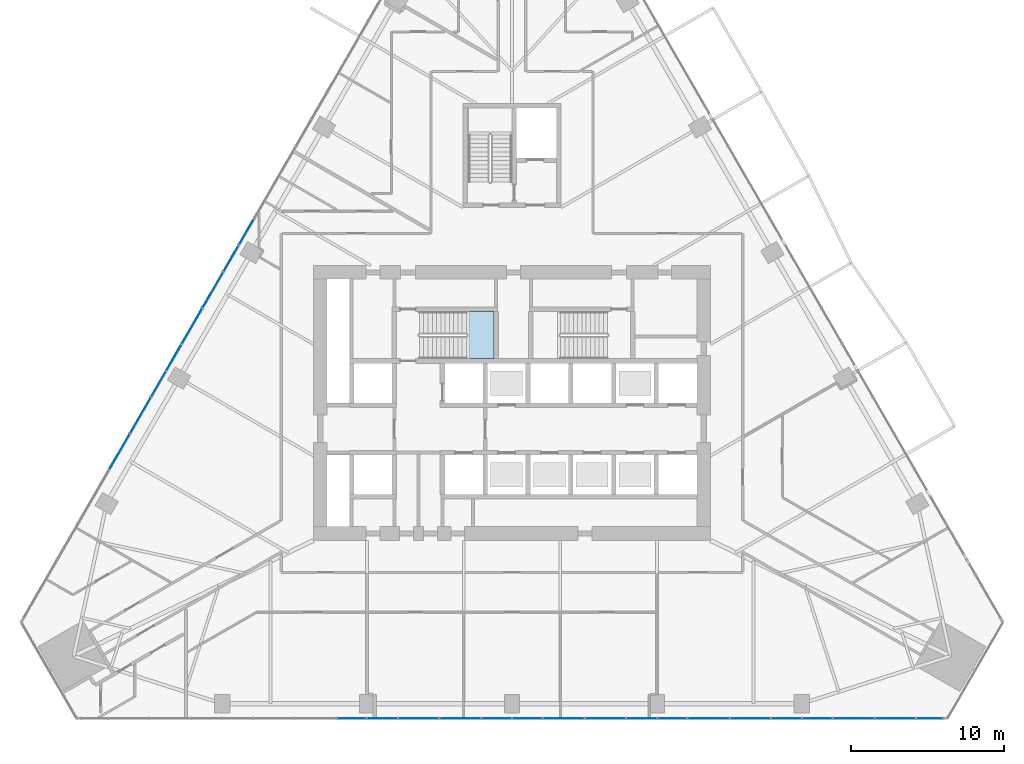
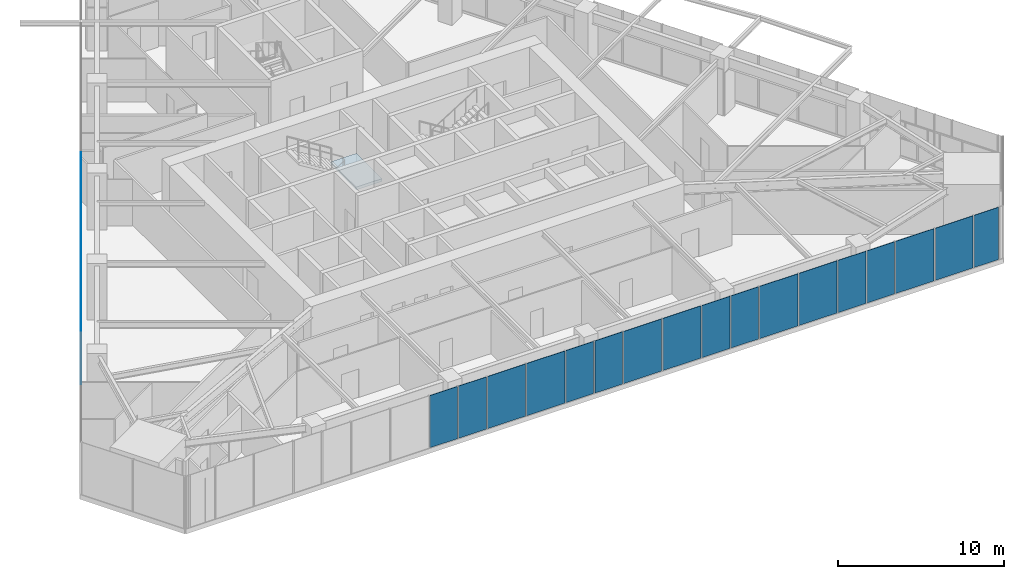
# One storey, part 14 of 26: 25 plates, 1 slab, 3 elements without a shape of their own.
"""IFC4 building model written with IfcOpenShell, lengths in metres."""

from ifc_helpers import new_model, si_unit, direction, frame, origin, place, context, subcontext, project, spatial, polyline, outline, extrude, material, layer, layer_set, type_object, element, aggregate, save


model = new_model("IFC4")

# Units and contexts
model_context = context("Model", 3, precision=1e-05, world=origin(), true_north=direction((0.0, 1.0)))
body_context = subcontext(model_context, "Body", "Model", "MODEL_VIEW")
ifc_project = project(units=[si_unit("LENGTHUNIT", "METRE"), si_unit("AREAUNIT", "SQUARE_METRE"), si_unit("VOLUMEUNIT", "CUBIC_METRE"), si_unit("PLANEANGLEUNIT", "RADIAN"), si_unit("MASSUNIT", "GRAM", prefix="KILO")], contexts=[model_context])

# Site, building, storey
site_placement = place(None, origin())
site = spatial("IfcSite", under=ifc_project, at=site_placement, CompositionType="ELEMENT")
building_placement = place(site_placement, origin())
building = spatial("IfcBuilding", under=site, at=building_placement, Name="Firuza Gate Tower and Library", CompositionType="ELEMENT")
storey_placement = place(building_placement, frame((0.0, 0.0, 77.800048828125)))
storey = spatial("IfcBuildingStorey", under=building, at=storey_placement, Name="L17", CompositionType="ELEMENT", Elevation=77.800048828125)

# Curtain wall, plates
ifc_material_1 = material(Name="Aluminium 6063-T6", Category="aluminium")
ifc_layer_1 = layer(ifc_material_1, 0.14990234375)
ifc_layer_set_1 = layer_set([ifc_layer_1], Name="Unitised curtain wall, offices")
curtain_wall_type = type_object("IfcCurtainWallType", Name="Unitised curtain wall, offices", PredefinedType="NOTDEFINED", material=ifc_layer_set_1)
placement = place(storey_placement, origin())
curtain_wall_1 = element("IfcCurtainWall", 1, at=placement, inside=storey, type_object=curtain_wall_type, Name="CW1 L17 S face", PredefinedType="NOTDEFINED")
ifc_material_2 = material(Name="Fritted glass", Category="glass")
ifc_layer_2 = layer(ifc_material_2, 0.030029296875)
ifc_layer_set_2 = layer_set([ifc_layer_2], Name="Fritted glass unit, offices")
plate_type_1 = type_object("IfcPlateType", Name="Fritted glass unit, offices", PredefinedType="CURTAIN_PANEL", material=ifc_layer_set_2)
plate_1_placement = place(storey_placement, frame((63.545654296875, 54.323974609375, 0.14990234375), z_axis=(0.0, -1.0, 0.0), x_axis=(1.0, 0.0, 0.0)))
plate_1 = element("IfcPlate", 2, at=plate_1_placement, type_object=plate_type_1, Name="Glass unit", PredefinedType="CURTAIN_PANEL", context=body_context, shape_type="SweptSolid", body=[
    extrude(outline(polyline([(0.0, 0.0), (1.91455078125, 0.0), (1.91455078125, 3.85009765625), (0.0, 3.85009765625), (0.0, 0.0)])), origin(), (0.0, 0.0, -1.0), 0.030029296875),
])
plate_2_placement = place(storey_placement, frame((65.540283203125, 54.323974609375, 0.14990234375), z_axis=(0.0, -1.0, 0.0), x_axis=(1.0, 0.0, 0.0)))
plate_2 = element("IfcPlate", 3, at=plate_2_placement, type_object=plate_type_1, Name="Glass unit", PredefinedType="CURTAIN_PANEL", context=body_context, shape_type="SweptSolid", body=[
    extrude(outline(polyline([(0.0, 0.0), (1.943603515625, 0.0), (1.943603515625, 3.85009765625), (0.0, 3.85009765625), (0.0, 0.0)])), origin(), (0.0, 0.0, -1.0), 0.030029296875),
])
plate_3_placement = place(storey_placement, frame((73.031005859375, 54.323974609375, 0.14990234375), z_axis=(0.0, -1.0, 0.0), x_axis=(1.0, 0.0, 0.0)))
plate_3 = element("IfcPlate", 4, at=plate_3_placement, type_object=plate_type_1, Name="Glass unit", PredefinedType="CURTAIN_PANEL", context=body_context, shape_type="SweptSolid", body=[
    extrude(outline(polyline([(0.0, 0.0), (1.928955078125, 0.0), (1.928955078125, 3.85009765625), (0.0, 3.85009765625), (0.0, 0.0)])), origin(), (0.0, 0.0, -1.0), 0.030029296875),
])
plate_4_placement = place(storey_placement, frame((75.0400390625, 54.323974609375, 0.14990234375), z_axis=(0.0, -1.0, 0.0), x_axis=(1.0, 0.0, 0.0)))
plate_4 = element("IfcPlate", 5, at=plate_4_placement, type_object=plate_type_1, Name="Glass unit", PredefinedType="CURTAIN_PANEL", context=body_context, shape_type="SweptSolid", body=[
    extrude(outline(polyline([(0.0, 0.0), (1.928955078125, 0.0), (1.928955078125, 3.85009765625), (0.0, 3.85009765625), (0.0, 0.0)])), origin(), (0.0, 0.0, -1.0), 0.030029296875),
])
plate_5_placement = place(storey_placement, frame((82.51611328125, 54.323974609375, 0.14990234375), z_axis=(0.0, -1.0, 0.0), x_axis=(1.0, 0.0, 0.0)))
plate_5 = element("IfcPlate", 6, at=plate_5_placement, type_object=plate_type_1, Name="Glass unit", PredefinedType="CURTAIN_PANEL", context=body_context, shape_type="SweptSolid", body=[
    extrude(outline(polyline([(0.0, 0.0), (1.943603515625, 0.0), (1.943603515625, 3.85009765625), (0.0, 3.85009765625), (0.0, 0.0)])), origin(), (0.0, 0.0, -1.0), 0.030029296875),
])
plate_6_placement = place(storey_placement, frame((84.539794921875, 54.323974609375, 0.14990234375), z_axis=(0.0, -1.0, 0.0), x_axis=(1.0, 0.0, 0.0)))
plate_6 = element("IfcPlate", 7, at=plate_6_placement, type_object=plate_type_1, Name="Glass unit", PredefinedType="CURTAIN_PANEL", context=body_context, shape_type="SweptSolid", body=[
    extrude(outline(polyline([(0.0, 0.0), (1.91455078125, 0.0), (1.91455078125, 3.85009765625), (0.0, 3.85009765625), (0.0, 0.0)])), origin(), (0.0, 0.0, -1.0), 0.030029296875),
])
plate_7_placement = place(storey_placement, frame((92.00146484375, 54.323974609375, 0.14990234375), z_axis=(0.0, -1.0, 0.0), x_axis=(1.0, 0.0, 0.0)))
plate_7 = element("IfcPlate", 8, at=plate_7_placement, type_object=plate_type_1, Name="Glass unit", PredefinedType="CURTAIN_PANEL", context=body_context, shape_type="SweptSolid", body=[
    extrude(outline(polyline([(0.0, 0.0), (1.9580078125, 0.0), (1.9580078125, 3.85009765625), (0.0, 3.85009765625), (0.0, 0.0)])), origin(), (0.0, 0.0, -1.0), 0.030029296875),
])
plate_8_placement = place(storey_placement, frame((94.03955078125, 54.323974609375, 0.14990234375), z_axis=(0.0, -1.0, 0.0), x_axis=(1.0, 0.0, 0.0)))
plate_8 = element("IfcPlate", 9, at=plate_8_placement, type_object=plate_type_1, Name="Glass unit", PredefinedType="CURTAIN_PANEL", context=body_context, shape_type="SweptSolid", body=[
    extrude(outline(polyline([(0.0, 0.0), (1.900146484375, 0.0), (1.900146484375, 3.85009765625), (0.0, 3.85009765625), (0.0, 0.0)])), origin(), (0.0, 0.0, -1.0), 0.030029296875),
])
plate_9_placement = place(storey_placement, frame((101.48681640625, 54.323974609375, 0.14990234375), z_axis=(0.0, -1.0, 0.0), x_axis=(1.0, 0.0, 0.0)))
plate_9 = element("IfcPlate", 10, at=plate_9_placement, type_object=plate_type_1, Name="Glass unit", PredefinedType="CURTAIN_PANEL", context=body_context, shape_type="SweptSolid", body=[
    extrude(outline(polyline([(0.0, 0.0), (1.706298828125, 0.0), (1.706298828125, 3.85009765625), (0.0, 3.85009765625), (0.0, 0.0)])), origin(), (0.0, 0.0, -1.0), 0.030029296875),
])

curtain_wall_2 = element("IfcCurtainWall", 11, at=placement, inside=storey, type_object=curtain_wall_type, Name="CW1 L17 W face", PredefinedType="NOTDEFINED")
plate_10_placement = place(storey_placement, frame((58.07861328125, 87.043212890625, 0.14990234375), z_axis=(-0.866014876105, 0.500018234033, 0.0), x_axis=(-0.500018234033, -0.866014876105, 0.0)))
plate_10 = element("IfcPlate", 12, at=plate_10_placement, type_object=plate_type_1, Name="Glass unit", PredefinedType="CURTAIN_PANEL", context=body_context, shape_type="SweptSolid", body=[
    extrude(outline(polyline([(0.0, 0.0), (1.9291288671504823, 0.0), (1.9291288671504823, 3.85009765625), (0.0, 3.85009765625), (0.0, 0.0)])), origin(), (0.0, 0.0, -1.0), 0.030029296875),
])
plate_11_placement = place(storey_placement, frame((57.07421875, 85.30322265625, 0.14990234375), z_axis=(-0.865983229881, 0.500073040231, 0.0), x_axis=(-0.500073040231, -0.865983229881, 0.0)))
plate_11 = element("IfcPlate", 13, at=plate_11_placement, type_object=plate_type_1, Name="Glass unit", PredefinedType="CURTAIN_PANEL", context=body_context, shape_type="SweptSolid", body=[
    extrude(outline(polyline([(0.0, 0.0), (1.9289174416002237, 0.0), (1.9289174416002237, 3.85009765625), (0.0, 3.85009765625), (0.0, 0.0)])), origin(), (0.0, 0.0, -1.0), 0.030029296875),
])
plate_12_placement = place(storey_placement, frame((53.3359375, 78.828857421875, 0.14990234375), z_axis=(-0.866070549782, 0.499921796684, 0.0), x_axis=(-0.499921796684, -0.866070549782, 0.0)))
plate_12 = element("IfcPlate", 14, at=plate_12_placement, type_object=plate_type_1, Name="Glass unit", PredefinedType="CURTAIN_PANEL", context=body_context, shape_type="SweptSolid", body=[
    extrude(outline(polyline([(0.0, 0.0), (1.9436633768435994, 0.0), (1.9436633768435994, 3.85009765625), (0.0, 3.85009765625), (0.0, 0.0)])), origin(), (0.0, 0.0, -1.0), 0.030029296875),
])
plate_13_placement = place(storey_placement, frame((52.32421875, 77.076416015625, 0.14990234375), z_axis=(-0.866045447078, 0.49996528239, 0.0), x_axis=(-0.49996528239, -0.866045447078, 0.0)))
plate_13 = element("IfcPlate", 15, at=plate_13_placement, type_object=plate_type_1, Name="Glass unit", PredefinedType="CURTAIN_PANEL", context=body_context, shape_type="SweptSolid", body=[
    extrude(outline(polyline([(0.0, 0.0), (1.9146837277357356, 0.0), (1.9146837277357356, 3.850097656250001), (0.0, 3.850097656250001), (0.0, 0.0)])), origin(), (0.0, 0.0, -1.0), 0.030029296875),
])

# Plate
ifc_material_3 = material(Name="Glazed ceramic tile")
ifc_layer_3 = layer(ifc_material_3, 0.030029296875)
ifc_layer_set_3 = layer_set([ifc_layer_3], Name="Opaque ceramic panel, offices")
plate_type_2 = type_object("IfcPlateType", Name="Opaque ceramic panel, offices", PredefinedType="CURTAIN_PANEL", material=ifc_layer_set_3)
plate_14_placement = place(storey_placement, frame((67.563720703125, 54.323974609375, 0.14990234375), z_axis=(0.0, -1.0, 0.0), x_axis=(1.0, 0.0, 0.0)))
plate_14 = element("IfcPlate", 16, at=plate_14_placement, type_object=plate_type_2, Name="Opaque ceramic panel", PredefinedType="CURTAIN_PANEL", context=body_context, shape_type="SweptSolid", body=[
    extrude(outline(polyline([(0.0, 0.0), (2.646484375, 0.0), (2.646484375, 3.85009765625), (0.0, 3.85009765625), (0.0, 0.0)])), origin(), (0.0, 0.0, -1.0), 0.030029296875),
])

plate_15_placement = place(storey_placement, frame((70.2900390625, 54.323974609375, 0.14990234375), z_axis=(0.0, -1.0, 0.0), x_axis=(1.0, 0.0, 0.0)))
plate_15 = element("IfcPlate", 17, at=plate_15_placement, type_object=plate_type_2, Name="Opaque ceramic panel", PredefinedType="CURTAIN_PANEL", context=body_context, shape_type="SweptSolid", body=[
    extrude(outline(polyline([(0.0, 0.0), (2.660888671875, 0.0), (2.660888671875, 3.85009765625), (0.0, 3.85009765625), (0.0, 0.0)])), origin(), (0.0, 0.0, -1.0), 0.030029296875),
])

plate_16_placement = place(storey_placement, frame((77.049072265625, 54.323974609375, 0.14990234375), z_axis=(0.0, -1.0, 0.0), x_axis=(1.0, 0.0, 0.0)))
plate_16 = element("IfcPlate", 18, at=plate_16_placement, type_object=plate_type_2, Name="Opaque ceramic panel", PredefinedType="CURTAIN_PANEL", context=body_context, shape_type="SweptSolid", body=[
    extrude(outline(polyline([(0.0, 0.0), (2.660888671875, 0.0), (2.660888671875, 3.85009765625), (0.0, 3.85009765625), (0.0, 0.0)])), origin(), (0.0, 0.0, -1.0), 0.030029296875),
])

plate_17_placement = place(storey_placement, frame((79.789794921875, 54.323974609375, 0.14990234375), z_axis=(0.0, -1.0, 0.0), x_axis=(1.0, 0.0, 0.0)))
plate_17 = element("IfcPlate", 19, at=plate_17_placement, type_object=plate_type_2, Name="Opaque ceramic panel", PredefinedType="CURTAIN_PANEL", context=body_context, shape_type="SweptSolid", body=[
    extrude(outline(polyline([(0.0, 0.0), (2.646484375, 0.0), (2.646484375, 3.85009765625), (0.0, 3.85009765625), (0.0, 0.0)])), origin(), (0.0, 0.0, -1.0), 0.030029296875),
])

plate_18_placement = place(storey_placement, frame((86.534423828125, 54.323974609375, 0.14990234375), z_axis=(0.0, -1.0, 0.0), x_axis=(1.0, 0.0, 0.0)))
plate_18 = element("IfcPlate", 20, at=plate_18_placement, type_object=plate_type_2, Name="Opaque ceramic panel", PredefinedType="CURTAIN_PANEL", context=body_context, shape_type="SweptSolid", body=[
    extrude(outline(polyline([(0.0, 0.0), (2.67529296875, 0.0), (2.67529296875, 3.85009765625), (0.0, 3.85009765625), (0.0, 0.0)])), origin(), (0.0, 0.0, -1.0), 0.030029296875),
])

plate_19_placement = place(storey_placement, frame((89.28955078125, 54.323974609375, 0.14990234375), z_axis=(0.0, -1.0, 0.0), x_axis=(1.0, 0.0, 0.0)))
plate_19 = element("IfcPlate", 21, at=plate_19_placement, type_object=plate_type_2, Name="Opaque ceramic panel", PredefinedType="CURTAIN_PANEL", context=body_context, shape_type="SweptSolid", body=[
    extrude(outline(polyline([(0.0, 0.0), (2.632080078125, 0.0), (2.632080078125, 3.85009765625), (0.0, 3.85009765625), (0.0, 0.0)])), origin(), (0.0, 0.0, -1.0), 0.030029296875),
])

plate_20_placement = place(storey_placement, frame((96.019775390625, 54.323974609375, 0.14990234375), z_axis=(0.0, -1.0, 0.0), x_axis=(1.0, 0.0, 0.0)))
plate_20 = element("IfcPlate", 22, at=plate_20_placement, type_object=plate_type_2, Name="Opaque ceramic panel", PredefinedType="CURTAIN_PANEL", context=body_context, shape_type="SweptSolid", body=[
    extrude(outline(polyline([(0.0, 0.0), (2.689453125, 0.0), (2.689453125, 3.85009765625), (0.0, 3.85009765625), (0.0, 0.0)])), origin(), (0.0, 0.0, -1.0), 0.030029296875),
])

plate_21_placement = place(storey_placement, frame((98.789306640625, 54.323974609375, 0.14990234375), z_axis=(0.0, -1.0, 0.0), x_axis=(1.0, 0.0, 0.0)))
plate_21 = element("IfcPlate", 23, at=plate_21_placement, type_object=plate_type_2, Name="Opaque ceramic panel", PredefinedType="CURTAIN_PANEL", context=body_context, shape_type="SweptSolid", body=[
    extrude(outline(polyline([(0.0, 0.0), (2.617431640625, 0.0), (2.617431640625, 3.85009765625), (0.0, 3.85009765625), (0.0, 0.0)])), origin(), (0.0, 0.0, -1.0), 0.030029296875),
])

aggregate(curtain_wall_1, [plate_1, plate_2, plate_14, plate_15, plate_3, plate_4, plate_16, plate_17, plate_5, plate_6, plate_18, plate_19, plate_7, plate_8, plate_20, plate_21, plate_9])

plate_22_placement = place(storey_placement, frame((56.069580078125, 83.5634765625, 0.14990234375), z_axis=(-0.86604960586, 0.499958078433, 0.0), x_axis=(-0.499958078433, -0.86604960586, 0.0)))
plate_22 = element("IfcPlate", 24, at=plate_22_placement, type_object=plate_type_2, Name="Opaque ceramic panel", PredefinedType="CURTAIN_PANEL", context=body_context, shape_type="SweptSolid", body=[
    extrude(outline(polyline([(0.0, 0.0), (2.6608676267310196, 0.0), (2.6608676267310196, 3.85009765625), (0.0, 3.85009765625), (0.0, 0.0)])), origin(), (0.0, 0.0, -1.0), 0.030029296875),
])

plate_23_placement = place(storey_placement, frame((54.69921875, 81.18994140625, 0.14990234375), z_axis=(-0.866031967744, 0.499988630717, 0.0), x_axis=(-0.499988630717, -0.866031967744, 0.0)))
plate_23 = element("IfcPlate", 25, at=plate_23_placement, type_object=plate_type_2, Name="Opaque ceramic panel", PredefinedType="CURTAIN_PANEL", context=body_context, shape_type="SweptSolid", body=[
    extrude(outline(polyline([(0.0, 0.0), (2.6465445536285275, 0.0), (2.6465445536285275, 3.85009765625), (0.0, 3.85009765625), (0.0, 0.0)])), origin(), (0.0, 0.0, -1.0), 0.030029296875),
])

plate_24_placement = place(storey_placement, frame((51.326904296875, 75.348876953125, 0.14990234375), z_axis=(-0.866027539765, 0.499996300355, 0.0), x_axis=(-0.499996300355, -0.866027539765, 0.0)))
plate_24 = element("IfcPlate", 26, at=plate_24_placement, type_object=plate_type_2, Name="Opaque ceramic panel", PredefinedType="CURTAIN_PANEL", context=body_context, shape_type="SweptSolid", body=[
    extrude(outline(polyline([(0.0, 0.0), (2.6753127641636505, 0.0), (2.6753127641636505, 3.850097656250001), (0.0, 3.850097656250001), (0.0, 0.0)])), origin(), (0.0, 0.0, -1.0), 0.030029296875),
])

plate_25_placement = place(storey_placement, frame((49.94921875, 72.962890625, 0.14990234375), z_axis=(-0.866031112038, 0.499990112884, 0.0), x_axis=(-0.499990112884, -0.866031112038, 0.0)))
plate_25 = element("IfcPlate", 27, at=plate_25_placement, type_object=plate_type_2, Name="Opaque ceramic panel", PredefinedType="CURTAIN_PANEL", context=body_context, shape_type="SweptSolid", body=[
    extrude(outline(polyline([(0.0, 0.0), (2.6318879810630036, 0.0), (2.6318879810630036, 3.85009765625), (0.0, 3.85009765625), (0.0, 0.0)])), origin(), (0.0, 0.0, -1.0), 0.030029296875),
])

aggregate(curtain_wall_2, [plate_10, plate_11, plate_22, plate_23, plate_12, plate_13, plate_24, plate_25])

# Stair, slab
ifc_material_4 = material(Name="Concrete C35/45", Category="concrete")
stair_type = type_object("IfcStairType", Name="Exit stair ST5", PredefinedType="HALF_TURN_STAIR", material=ifc_material_4)
stair = element("IfcStair", 28, at=placement, inside=storey, type_object=stair_type, Name="L17 Stair ST1", PredefinedType="HALF_TURN_STAIR")
ifc_material_5 = material(Name="Concrete C35/45", Category="concrete")
ifc_layer_4 = layer(ifc_material_5, 0.199951171875)
ifc_layer_set_4 = layer_set([ifc_layer_4], Name="Stair landing 200")
slab_type = type_object("IfcSlabType", Name="Stair landing 200", PredefinedType="LANDING", material=ifc_layer_set_4)
slab_placement = place(storey_placement, frame((0.0, 0.0, 1.89990234375)))
slab = element("IfcSlab", 29, at=slab_placement, type_object=slab_type, Name="ST1 landing 1", PredefinedType="LANDING", context=body_context, shape_type="SweptSolid", body=[
    extrude(outline(polyline([(72.02001953125, 77.89990234375), (73.81005859375, 77.89990234375), (73.81005859375, 80.97998046875), (72.02001953125, 80.97998046875), (72.02001953125, 77.89990234375)])), origin(), (0.0, 0.0, 1.0), 0.199951171875),
])
aggregate(stair, [slab])

save(model, "model.ifc")
